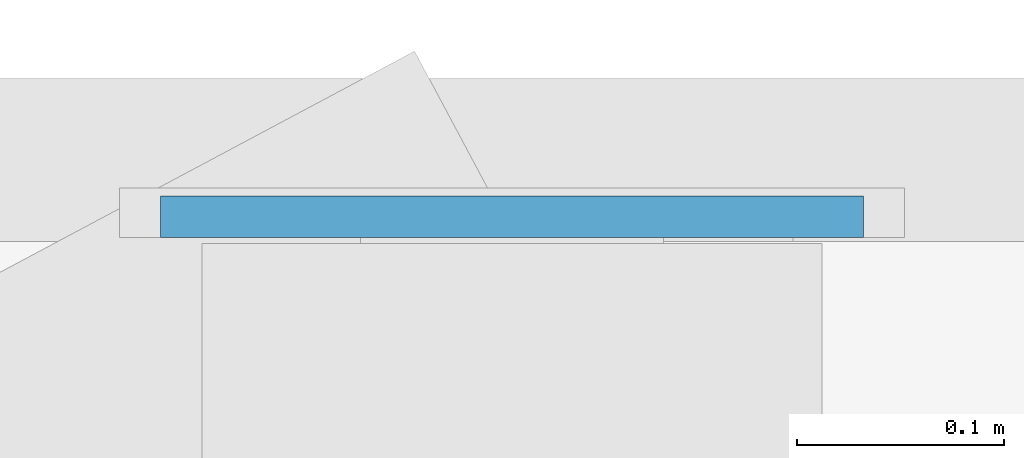
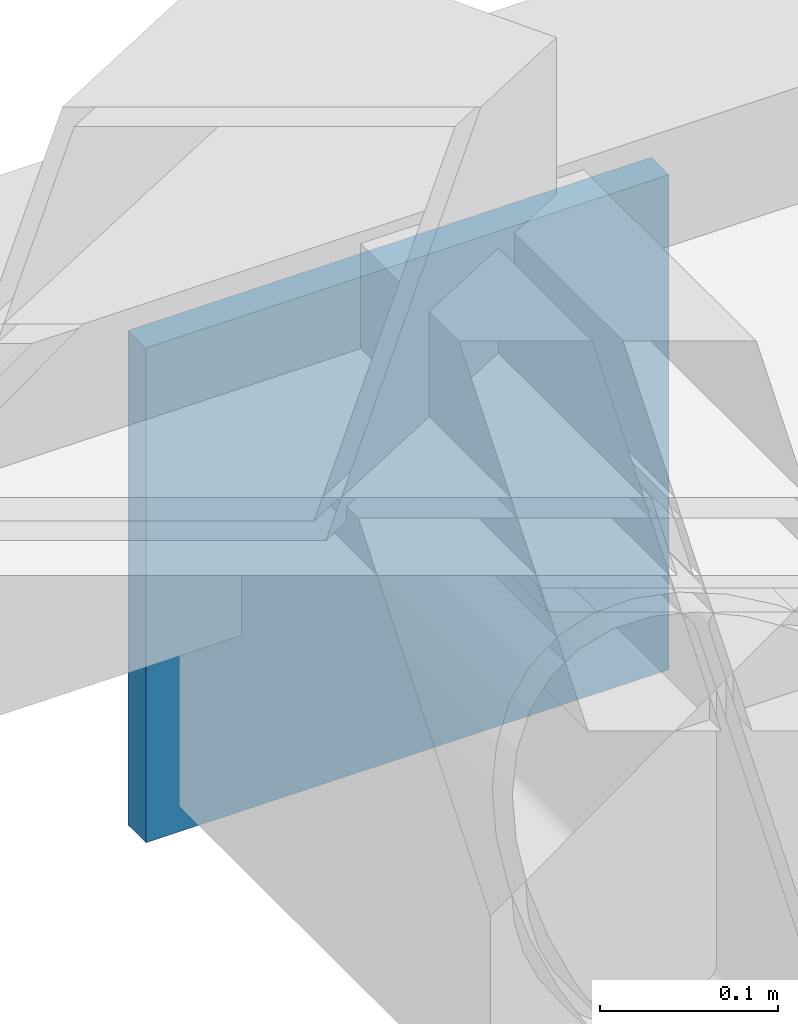
# One storey, part 71 of 80: 1 plate.
"""IFC4 building model written with IfcOpenShell, lengths in metres."""

from ifc_helpers import new_model, si_unit, direction, frame, origin, origin_2d, place, context, subcontext, project, spatial, rectangle, extrude, material, layer, layer_set, type_object, element, save


model = new_model("IFC4")

# Units and contexts
model_context = context("Model", 3, precision=1e-05, world=origin(), true_north=direction((0.0, 1.0)))
body_context = subcontext(model_context, "Body", "Model", "MODEL_VIEW")
ifc_project = project(units=[si_unit("LENGTHUNIT", "METRE"), si_unit("AREAUNIT", "SQUARE_METRE"), si_unit("VOLUMEUNIT", "CUBIC_METRE"), si_unit("PLANEANGLEUNIT", "RADIAN"), si_unit("MASSUNIT", "GRAM", prefix="KILO"), si_unit("THERMODYNAMICTEMPERATUREUNIT", "KELVIN"), si_unit("POWERUNIT", "WATT")], contexts=[model_context])

# Site, building, storey
site_placement = place(None, origin())
site = spatial("IfcSite", under=ifc_project, at=site_placement, CompositionType="ELEMENT")
building_placement = place(site_placement, origin())
building = spatial("IfcBuilding", under=site, at=building_placement, Name="Tallowbark Science Centre", CompositionType="ELEMENT")
storey_placement = place(building_placement, frame((0.0, 0.0, 25.949951171875)))
storey = spatial("IfcBuildingStorey", under=building, at=storey_placement, Name="ROOF", CompositionType="ELEMENT", Elevation=25.949951171875)

# Plate
ifc_material = material(Name="Structural Steel Grade 300PLUS (300 MPa)", Category="steel")
ifc_layer = layer(ifc_material, 0.02001953125)
ifc_layer_set = layer_set([ifc_layer], Name="Structural Steel Grade 300PLUS (300 MPa)")
plate_type = type_object("IfcPlateType", Name="PLT-GUS-20B", PredefinedType="SHEET", material=ifc_layer_set)
plate_placement = place(storey_placement, frame((103.5, 42.907958984375, 0.02001953125), z_axis=(0.0, 0.0, 1.0), x_axis=(1.0, 0.0, 0.0)))
element("IfcPlate", 1, at=plate_placement, inside=storey, type_object=plate_type, Name="Truss Eave End Cap Plate N-11", PredefinedType="SHEET", context=body_context, shape_type="SweptSolid", body=[
    extrude(rectangle(XDim=0.340087890625, YDim=0.02001953125, at=origin_2d()), origin(), (0.0, 0.0, 1.0), 0.340087890625),
])

save(model, "model.ifc")
